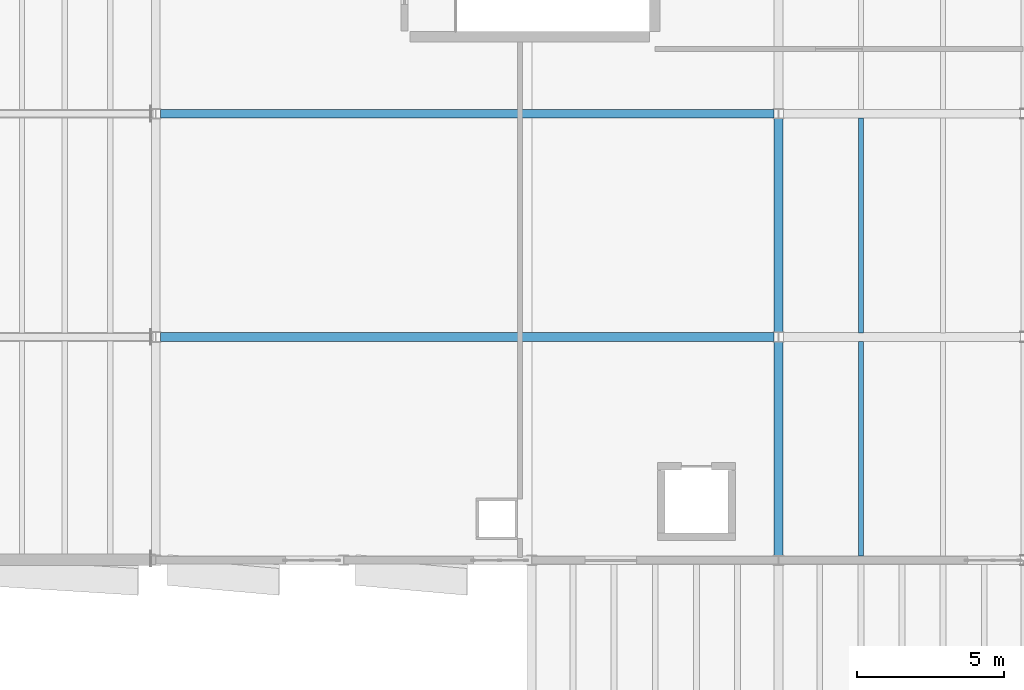
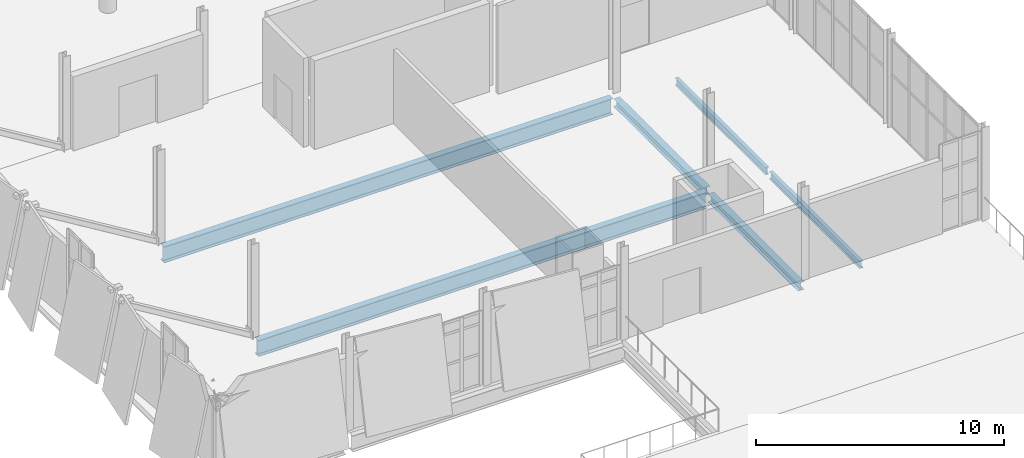
# One storey, part 10 of 74: 6 beams.
"""IFC4 building model written with IfcOpenShell, lengths in metres."""

from ifc_helpers import new_model, si_unit, direction, frame, origin, origin_2d, place, context, subcontext, project, spatial, i_section, extrude, material, material_profile, profile_set, type_object, element, save


model = new_model("IFC4")

# Units and contexts
model_context = context("Model", 3, precision=1e-05, world=origin(), true_north=direction((0.0, 1.0)))
body_context = subcontext(model_context, "Body", "Model", "MODEL_VIEW")
ifc_project = project(units=[si_unit("LENGTHUNIT", "METRE"), si_unit("AREAUNIT", "SQUARE_METRE"), si_unit("VOLUMEUNIT", "CUBIC_METRE"), si_unit("PLANEANGLEUNIT", "RADIAN"), si_unit("MASSUNIT", "GRAM", prefix="KILO")], contexts=[model_context])

# Site, building, storey
site_placement = place(None, origin())
site = spatial("IfcSite", under=ifc_project, at=site_placement, CompositionType="ELEMENT")
building_placement = place(site_placement, origin())
building = spatial("IfcBuilding", under=site, at=building_placement, Name="Shengluoqiao Park Theatre", CompositionType="ELEMENT")
storey_placement = place(building_placement, frame((0.0, 0.0, 14.60009765625)))
storey = spatial("IfcBuildingStorey", under=building, at=storey_placement, Name="L03", CompositionType="ELEMENT", Elevation=14.60009765625)

# Beams
ifc_material_1 = material(Name="Steel Q355", Category="steel")
ifc_material_profile_1 = material_profile(ifc_material_1, i_section(OverallWidth=0.300048828125, OverallDepth=0.389892578125, WebThickness=0.010009765625, FlangeThickness=0.01611328125, FilletRadius=0.01806640625, at=origin_2d()), Name="HM 390x300x10x16")
ifc_profile_set_1 = profile_set([ifc_material_profile_1], Name="Steel Q355")
beam_type_1 = type_object("IfcBeamType", Name="STR-BM-G-HM390", PredefinedType="BEAM", material=ifc_profile_set_1)
for number, where, z_axis, x_axis, name in (
    (1, (27.60009765625, 30.56591796875, -0.51513671875), (0.0, 1.0, 0.0), (-1.0, 0.0, 0.0), "L03 Transverse Girder 01297"),
    (2, (27.60009765625, 38.166015625, -0.43505859375), (0.0, 1.0, 0.0), (-1.0, 0.0, 0.0), "L03 Transverse Girder 01298"),
):
    element("IfcBeam", number, at=place(storey_placement, frame(where, z_axis=z_axis, x_axis=x_axis)), inside=storey, type_object=beam_type_1, Name=name, PredefinedType="BEAM", context=body_context, shape_type="SweptSolid", body=[
        extrude(i_section(OverallWidth=0.300048828125, OverallDepth=0.389892578125, WebThickness=0.010009765625, FlangeThickness=0.01611328125, FilletRadius=0.01806640625, at=origin_2d()), origin(), (0.0, 0.0, 1.0), 7.26806640625),
    ])
ifc_material_2 = material(Name="Steel Q390", Category="steel")
ifc_material_profile_2 = material_profile(ifc_material_2, i_section(OverallWidth=0.300048828125, OverallDepth=0.800048828125, WebThickness=0.013916015625, FlangeThickness=0.02587890625, FilletRadius=0.02587890625, at=origin_2d()), Name="HN 800x300x14x26")
ifc_profile_set_2 = profile_set([ifc_material_profile_2], Name="Steel Q390")
beam_type_2 = type_object("IfcBeamType", Name="STR-BM-G-HN800", PredefinedType="BEAM", material=ifc_profile_set_2)
for number, where, z_axis, x_axis, name in (
    (3, (6.56201171875, 38.0, -0.64013671875), (1.0, 0.0, 0.0), (0.0, 1.0, 0.0), "CT-V3-2 L03 Continuous Back-Span Chord"),
    (4, (6.56201171875, 45.60009765625, -0.64013671875), (1.0, 0.0, 0.0), (0.0, 1.0, 0.0), "CT-V3-3 L03 Continuous Back-Span Chord"),
):
    element("IfcBeam", number, at=place(storey_placement, frame(where, z_axis=z_axis, x_axis=x_axis)), inside=storey, type_object=beam_type_2, Name=name, PredefinedType="BEAM", context=body_context, shape_type="SweptSolid", body=[
        extrude(i_section(OverallWidth=0.300048828125, OverallDepth=0.800048828125, WebThickness=0.013916015625, FlangeThickness=0.02587890625, FilletRadius=0.02587890625, at=origin_2d()), origin(), (0.0, 0.0, 1.0), 20.8759765625),
    ])
ifc_material_profile_3 = material_profile(ifc_material_1, i_section(OverallWidth=0.175048828125, OverallDepth=0.35009765625, WebThickness=0.007080078125, FlangeThickness=0.010986328125, FilletRadius=0.013916015625, at=origin_2d()), Name="HN 350x175x7x11")
ifc_profile_set_3 = profile_set([ifc_material_profile_3], Name="Steel Q355")
beam_type_3 = type_object("IfcBeamType", Name="STR-BM-J-HN350", PredefinedType="JOIST", material=ifc_profile_set_3)
for number, where, z_axis, x_axis, name in (
    (5, (30.39990234375, 30.544921875, -0.4150390625), (0.0, 1.0, 0.0), (-1.0, 0.0, 0.0), "L03 Composite Joist 01303"),
    (6, (30.39990234375, 38.14501953125, -0.4150390625), (0.0, 1.0, 0.0), (-1.0, 0.0, 0.0), "L03 Composite Joist 01305"),
):
    element("IfcBeam", number, at=place(storey_placement, frame(where, z_axis=z_axis, x_axis=x_axis)), inside=storey, type_object=beam_type_3, Name=name, PredefinedType="JOIST", context=body_context, shape_type="SweptSolid", body=[
        extrude(i_section(OverallWidth=0.175048828125, OverallDepth=0.35009765625, WebThickness=0.007080078125, FlangeThickness=0.010986328125, FilletRadius=0.013916015625, at=origin_2d()), origin(), (0.0, 0.0, 1.0), 7.31005859375),
    ])

save(model, "model.ifc")
